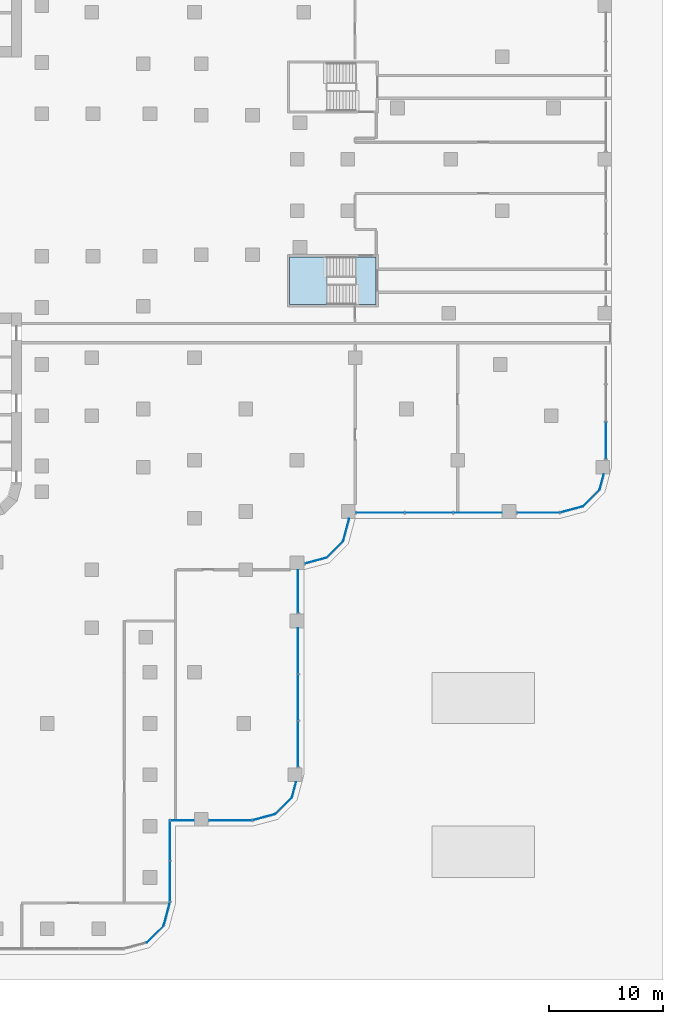
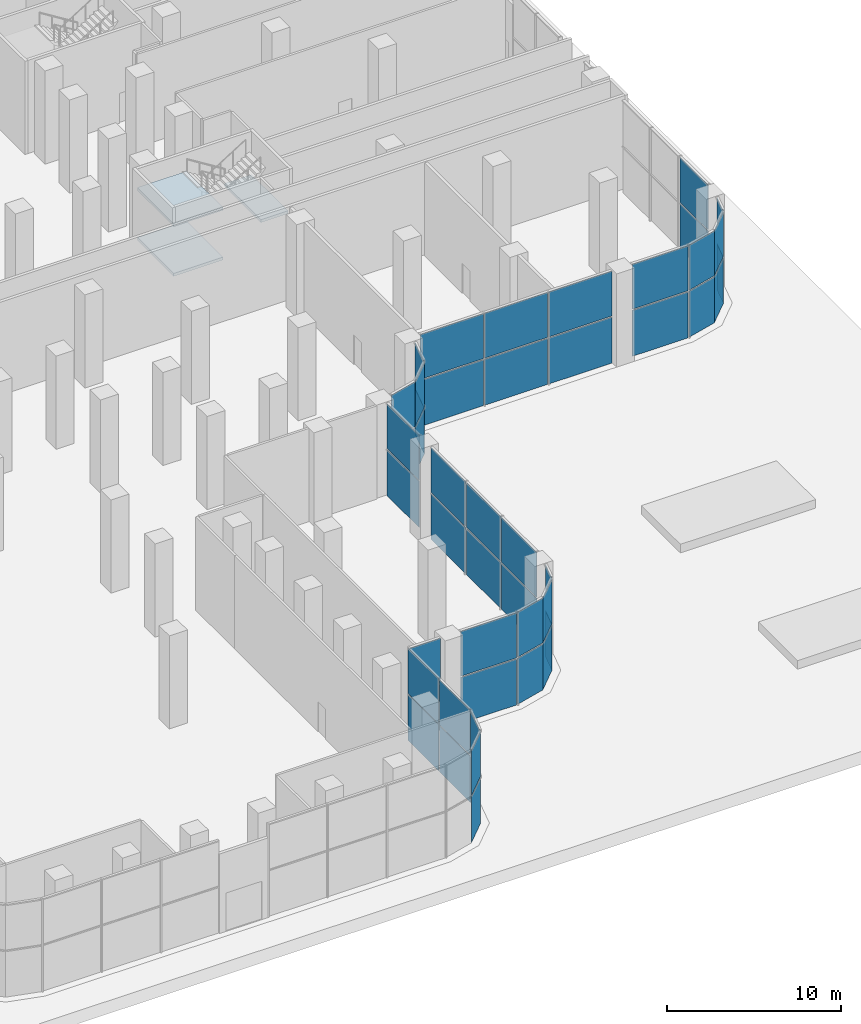
# One storey, part 15 of 34: 48 plates, 3 slabs, 17 elements without a shape of their own.
"""IFC4 building model written with IfcOpenShell, lengths in metres."""

from ifc_helpers import new_model, si_unit, direction, frame, origin, place, context, subcontext, project, spatial, polyline, outline, extrude, source, transform, mapped, material, layer, layer_set, type_object, element, aggregate, save


model = new_model("IFC4")

# Units and contexts
model_context = context("Model", 3, precision=1e-05, world=origin(), true_north=direction((0.0, 1.0)))
body_context = subcontext(model_context, "Body", "Model", "MODEL_VIEW")
ifc_project = project(units=[si_unit("LENGTHUNIT", "METRE"), si_unit("AREAUNIT", "SQUARE_METRE"), si_unit("VOLUMEUNIT", "CUBIC_METRE"), si_unit("PLANEANGLEUNIT", "RADIAN"), si_unit("MASSUNIT", "GRAM", prefix="KILO")], contexts=[model_context])

# Site, building, storey
site_placement = place(None, origin())
site = spatial("IfcSite", under=ifc_project, at=site_placement, CompositionType="ELEMENT")
building_placement = place(site_placement, origin())
building = spatial("IfcBuilding", under=site, at=building_placement, Name="Zarbagh Exchange Tower", CompositionType="ELEMENT")
storey_placement = place(building_placement, origin())
storey = spatial("IfcBuildingStorey", under=building, at=storey_placement, Name="L00", CompositionType="ELEMENT", Elevation=0.0)

# Stair, slabs
ifc_material_1 = material(Name="Concrete C40/50", Category="concrete")
stair_type = type_object("IfcStairType", Name="Exit stair two-flight half-turn", PredefinedType="HALF_TURN_STAIR", material=ifc_material_1)
stair_placement = place(storey_placement, origin())
stair = element("IfcStair", 1, at=stair_placement, inside=storey, type_object=stair_type, Name="exit stair PS6", PredefinedType="HALF_TURN_STAIR")
ifc_layer_1 = layer(ifc_material_1, 0.199951171875)
ifc_layer_set_1 = layer_set([ifc_layer_1], Name="Stair landing 200 mm")
slab_type = type_object("IfcSlabType", Name="Stair landing 200 mm", PredefinedType="LANDING", material=ifc_layer_set_1)
slab_1_placement = place(storey_placement, frame((0.0, 0.0, 1.550048828125)))
slab_1 = element("IfcSlab", 2, at=slab_1_placement, type_object=slab_type, Name="PS6 landing 1", PredefinedType="LANDING", context=body_context, shape_type="SweptSolid", body=[
    extrude(outline(polyline([(31.280029296875, -6.300048828125), (28.0, -6.300048828125), (28.0, -10.5), (31.280029296875, -10.5), (31.280029296875, -6.300048828125)])), origin(), (0.0, 0.0, 1.0), 0.199951171875),
])
slab_2_placement = place(storey_placement, frame((0.0, 0.0, 3.300048828125)))
slab_2 = element("IfcSlab", 3, at=slab_2_placement, type_object=slab_type, Name="PS6 landing 2", PredefinedType="LANDING", context=body_context, shape_type="SweptSolid", body=[
    extrude(outline(polyline([(35.60009765625, -6.300048828125), (33.800048828125, -6.300048828125), (33.800048828125, -10.5), (35.60009765625, -10.5), (35.60009765625, -6.300048828125)])), origin(), (0.0, 0.0, 1.0), 0.199951171875),
])
slab_3_placement = place(storey_placement, frame((0.0, 0.0, 5.050048828125)))
slab_3 = element("IfcSlab", 4, at=slab_3_placement, type_object=slab_type, Name="PS6 landing 3", PredefinedType="LANDING", context=body_context, shape_type="SweptSolid", body=[
    extrude(outline(polyline([(31.280029296875, -6.300048828125), (28.0, -6.300048828125), (28.0, -10.5), (31.280029296875, -10.5), (31.280029296875, -6.300048828125)])), origin(), (0.0, 0.0, 1.0), 0.199951171875),
])
aggregate(stair, [slab_1, slab_2, slab_3])

# Curtain wall, plates
ifc_material_2 = material(Name="Anodised aluminium frame and glazing", Category="aluminium")
curtain_wall_type_1 = type_object("IfcCurtainWallType", Name="CWD Exchange hall wall glazing", PredefinedType="NOTDEFINED", material=ifc_material_2)
curtain_wall_1_placement = place(storey_placement, origin())
curtain_wall_1 = element("IfcCurtainWall", 5, at=curtain_wall_1_placement, inside=storey, type_object=curtain_wall_type_1, Name="CWD02 curtain wall", PredefinedType="NOTDEFINED")
ifc_material_3 = material(Name="Low-e double glazed unit, 6+12+6 mm")
ifc_layer_2 = layer(ifc_material_3, 0.035888671875)
ifc_layer_set_2 = layer_set([ifc_layer_2], Name="PAD Glazing panel, Low-e double glazed unit, 6+12+6 mm")
plate_type_1 = type_object("IfcPlateType", Name="PAD Glazing panel, Low-e double glazed unit, 6+12+6 mm", PredefinedType="CURTAIN_PANEL", material=ifc_layer_set_2)
shared_shape_1 = source(origin(), body_context, "Body", "SweptSolid", [
    extrude(outline(polyline([(0.0, -0.01806640625), (2.061279296875, -0.01806640625), (2.061279296875, 0.01806640625), (0.0, 0.01806640625), (0.0, -0.01806640625)])), origin(), (0.0, 0.0, 1.0), 3.235107421875),
])
placement = place(storey_placement, origin())
plate_1 = element("IfcPlate", 6, at=placement, type_object=plate_type_1, Name="CWD02 glazing panel 1.1", PredefinedType="CURTAIN_PANEL", context=body_context, shape_type="MappedRepresentation", body=[
    mapped(shared_shape_1, transform((15.4912109375, -66.44873046875, 0.0), x_axis=(0.707106781187, 0.707106781187, 0.0), y_axis=(-0.707106781187, 0.707106781187, 0.0), z_axis=(0.0, 0.0, 1.0))),
])
shared_shape_2 = source(origin(), body_context, "Body", "SweptSolid", [
    extrude(outline(polyline([(0.0, -0.01806640625), (2.061279296875, -0.01806640625), (2.061279296875, 0.01806640625), (0.0, 0.01806640625), (0.0, -0.01806640625)])), origin(), (0.0, 0.0, 1.0), 3.155029296875),
])
plate_2 = element("IfcPlate", 7, at=placement, type_object=plate_type_1, Name="CWD02 glazing panel 1.1", PredefinedType="CURTAIN_PANEL", context=body_context, shape_type="MappedRepresentation", body=[
    mapped(shared_shape_2, transform((15.4912109375, -66.44873046875, 3.31494140625), x_axis=(0.707106781187, 0.707106781187, 0.0), y_axis=(-0.707106781187, 0.707106781187, 0.0), z_axis=(0.0, 0.0, 1.0))),
])
aggregate(curtain_wall_1, [plate_1, plate_2])

curtain_wall_2_placement = place(storey_placement, origin())
curtain_wall_2 = element("IfcCurtainWall", 8, at=curtain_wall_2_placement, inside=storey, type_object=curtain_wall_type_1, Name="CWD03 curtain wall", PredefinedType="NOTDEFINED")
shared_shape_3 = source(origin(), body_context, "Body", "SweptSolid", [
    extrude(outline(polyline([(0.0, -0.01806640625), (2.129638671875, -0.01806640625), (2.129638671875, 0.01806640625), (0.0, 0.01806640625), (0.0, -0.01806640625)])), origin(), (0.0, 0.0, 1.0), 3.235107421875),
])
plate_3 = element("IfcPlate", 9, at=placement, type_object=plate_type_1, Name="CWD03 glazing panel 1.1", PredefinedType="CURTAIN_PANEL", context=body_context, shape_type="MappedRepresentation", body=[
    mapped(shared_shape_3, transform((16.94873046875, -64.9912109375, 0.0), x_axis=(0.258824779902, 0.965924289636, 0.0), y_axis=(-0.965924289636, 0.258824779902, 0.0), z_axis=(0.0, 0.0, 1.0))),
])
shared_shape_4 = source(origin(), body_context, "Body", "SweptSolid", [
    extrude(outline(polyline([(0.0, -0.01806640625), (2.129638671875, -0.01806640625), (2.129638671875, 0.01806640625), (0.0, 0.01806640625), (0.0, -0.01806640625)])), origin(), (0.0, 0.0, 1.0), 3.155029296875),
])
plate_4 = element("IfcPlate", 10, at=placement, type_object=plate_type_1, Name="CWD03 glazing panel 1.1", PredefinedType="CURTAIN_PANEL", context=body_context, shape_type="MappedRepresentation", body=[
    mapped(shared_shape_4, transform((16.94873046875, -64.9912109375, 3.31494140625), x_axis=(0.258824779902, 0.965924289636, 0.0), y_axis=(-0.965924289636, 0.258824779902, 0.0), z_axis=(0.0, 0.0, 1.0))),
])
aggregate(curtain_wall_2, [plate_3, plate_4])

curtain_wall_3_placement = place(storey_placement, origin())
curtain_wall_3 = element("IfcCurtainWall", 11, at=curtain_wall_3_placement, inside=storey, type_object=curtain_wall_type_1, Name="CWD04 curtain wall", PredefinedType="NOTDEFINED")
shared_shape_5 = source(origin(), body_context, "Body", "SweptSolid", [
    extrude(outline(polyline([(0.0, -0.01806640625), (3.51220703125, -0.01806640625), (3.51220703125, 0.01806640625), (0.0, 0.01806640625), (0.0, -0.01806640625)])), origin(), (0.0, 0.0, 1.0), 3.235107421875),
])
plate_5 = element("IfcPlate", 12, at=placement, type_object=plate_type_1, Name="CWD04 glazing panel 1.1", PredefinedType="CURTAIN_PANEL", context=body_context, shape_type="MappedRepresentation", body=[
    mapped(shared_shape_5, transform((17.5, -62.854248046875, 0.0), x_axis=(0.0, 1.0, 0.0), y_axis=(-1.0, 0.0, 0.0), z_axis=(0.0, 0.0, 1.0))),
])
plate_6 = element("IfcPlate", 13, at=placement, type_object=plate_type_1, Name="CWD04 glazing panel 1.2", PredefinedType="CURTAIN_PANEL", context=body_context, shape_type="MappedRepresentation", body=[
    mapped(shared_shape_5, transform((17.5, -59.261962890625, 0.0), x_axis=(0.0, 1.0, 0.0), y_axis=(-1.0, 0.0, 0.0), z_axis=(0.0, 0.0, 1.0))),
])
shared_shape_6 = source(origin(), body_context, "Body", "SweptSolid", [
    extrude(outline(polyline([(0.0, -0.01806640625), (3.51220703125, -0.01806640625), (3.51220703125, 0.01806640625), (0.0, 0.01806640625), (0.0, -0.01806640625)])), origin(), (0.0, 0.0, 1.0), 3.155029296875),
])
plate_7 = element("IfcPlate", 14, at=placement, type_object=plate_type_1, Name="CWD04 glazing panel 1.1", PredefinedType="CURTAIN_PANEL", context=body_context, shape_type="MappedRepresentation", body=[
    mapped(shared_shape_6, transform((17.5, -62.854248046875, 3.31494140625), x_axis=(0.0, 1.0, 0.0), y_axis=(-1.0, 0.0, 0.0), z_axis=(0.0, 0.0, 1.0))),
])
plate_8 = element("IfcPlate", 15, at=placement, type_object=plate_type_1, Name="CWD04 glazing panel 1.2", PredefinedType="CURTAIN_PANEL", context=body_context, shape_type="MappedRepresentation", body=[
    mapped(shared_shape_6, transform((17.5, -59.261962890625, 3.31494140625), x_axis=(0.0, 1.0, 0.0), y_axis=(-1.0, 0.0, 0.0), z_axis=(0.0, 0.0, 1.0))),
])
aggregate(curtain_wall_3, [plate_5, plate_7, plate_6, plate_8])

curtain_wall_type_2 = type_object("IfcCurtainWallType", Name="CWC Podium garden-wall glazing", PredefinedType="NOTDEFINED", material=ifc_material_2)
curtain_wall_4_placement = place(storey_placement, origin())
curtain_wall_4 = element("IfcCurtainWall", 16, at=curtain_wall_4_placement, inside=storey, type_object=curtain_wall_type_2, Name="CWC01 curtain wall", PredefinedType="NOTDEFINED")
ifc_layer_3 = layer(ifc_material_3, 0.031982421875)
ifc_layer_set_3 = layer_set([ifc_layer_3], Name="PAC Glazing panel, Low-e double glazed unit, 6+12+6 mm")
plate_type_2 = type_object("IfcPlateType", Name="PAC Glazing panel, Low-e double glazed unit, 6+12+6 mm", PredefinedType="CURTAIN_PANEL", material=ifc_layer_set_3)
shared_shape_7 = source(origin(), body_context, "Body", "SweptSolid", [
    extrude(outline(polyline([(0.0, -0.01611328125), (2.030029296875, -0.01611328125), (2.030029296875, 0.01611328125), (0.0, 0.01611328125), (0.0, -0.01611328125)])), origin(), (0.0, 0.0, 1.0), 3.235107421875),
])
plate_9 = element("IfcPlate", 17, at=placement, type_object=plate_type_2, Name="CWC01 glazing panel 1.1", PredefinedType="CURTAIN_PANEL", context=body_context, shape_type="MappedRepresentation", body=[
    mapped(shared_shape_7, transform((17.580078125, -55.75, 0.0), x_axis=(1.0, 0.0, 0.0), y_axis=(0.0, 1.0, 0.0), z_axis=(0.0, 0.0, 1.0))),
])
shared_shape_8 = source(origin(), body_context, "Body", "SweptSolid", [
    extrude(outline(polyline([(0.0, -0.01611328125), (2.030029296875, -0.01611328125), (2.030029296875, 0.01611328125), (0.0, 0.01611328125), (0.0, -0.01611328125)])), origin(), (0.0, 0.0, 1.0), 3.155029296875),
])
plate_10 = element("IfcPlate", 18, at=placement, type_object=plate_type_2, Name="CWC01 glazing panel 1.1", PredefinedType="CURTAIN_PANEL", context=body_context, shape_type="MappedRepresentation", body=[
    mapped(shared_shape_8, transform((17.580078125, -55.75, 3.31494140625), x_axis=(1.0, 0.0, 0.0), y_axis=(0.0, 1.0, 0.0), z_axis=(0.0, 0.0, 1.0))),
])
shared_shape_9 = source(origin(), body_context, "Body", "SweptSolid", [
    extrude(outline(polyline([(0.0, -0.01611328125), (3.714111328125, -0.01611328125), (3.714111328125, 0.01611328125), (0.0, 0.01611328125), (0.0, -0.01611328125)])), origin(), (0.0, 0.0, 1.0), 3.235107421875),
])
plate_11 = element("IfcPlate", 19, at=placement, type_object=plate_type_2, Name="CWC01 glazing panel 2.1", PredefinedType="CURTAIN_PANEL", context=body_context, shape_type="MappedRepresentation", body=[
    mapped(shared_shape_9, transform((20.969970703125, -55.75, 0.0), x_axis=(1.0, 0.0, 0.0), y_axis=(0.0, 1.0, 0.0), z_axis=(0.0, 0.0, 1.0))),
])

# Curtain wall, plate
curtain_wall_5_placement = place(storey_placement, origin())
curtain_wall_5 = element("IfcCurtainWall", 20, at=curtain_wall_5_placement, inside=storey, type_object=curtain_wall_type_2, Name="CWC09 curtain wall", PredefinedType="NOTDEFINED")
plate_12 = element("IfcPlate", 21, at=placement, type_object=plate_type_2, Name="CWC09 glazing panel 2.1", PredefinedType="CURTAIN_PANEL", context=body_context, shape_type="MappedRepresentation", body=[
    mapped(shared_shape_9, transform((47.969970703125, -28.75, 0.0), x_axis=(1.0, 0.0, 0.0), y_axis=(0.0, 1.0, 0.0), z_axis=(0.0, 0.0, 1.0))),
])

# Plate
shared_shape_10 = source(origin(), body_context, "Body", "SweptSolid", [
    extrude(outline(polyline([(0.0, -0.01611328125), (3.714111328125, -0.01611328125), (3.714111328125, 0.01611328125), (0.0, 0.01611328125), (0.0, -0.01611328125)])), origin(), (0.0, 0.0, 1.0), 3.155029296875),
])
plate_13 = element("IfcPlate", 22, at=placement, type_object=plate_type_2, Name="CWC01 glazing panel 2.1", PredefinedType="CURTAIN_PANEL", context=body_context, shape_type="MappedRepresentation", body=[
    mapped(shared_shape_10, transform((20.969970703125, -55.75, 3.31494140625), x_axis=(1.0, 0.0, 0.0), y_axis=(0.0, 1.0, 0.0), z_axis=(0.0, 0.0, 1.0))),
])

aggregate(curtain_wall_4, [plate_9, plate_10, plate_11, plate_13])

plate_14 = element("IfcPlate", 23, at=placement, type_object=plate_type_2, Name="CWC09 glazing panel 2.1", PredefinedType="CURTAIN_PANEL", context=body_context, shape_type="MappedRepresentation", body=[
    mapped(shared_shape_10, transform((47.969970703125, -28.75, 3.31494140625), x_axis=(1.0, 0.0, 0.0), y_axis=(0.0, 1.0, 0.0), z_axis=(0.0, 0.0, 1.0))),
])

# Curtain wall, plate
curtain_wall_6_placement = place(storey_placement, origin())
curtain_wall_6 = element("IfcCurtainWall", 24, at=curtain_wall_6_placement, inside=storey, type_object=curtain_wall_type_2, Name="CWC02 curtain wall", PredefinedType="NOTDEFINED")
shared_shape_11 = source(origin(), body_context, "Body", "SweptSolid", [
    extrude(outline(polyline([(0.0, -0.01611328125), (2.049560546875, -0.01611328125), (2.049560546875, 0.01611328125), (0.0, 0.01611328125), (0.0, -0.01611328125)])), origin(), (0.0, 0.0, 1.0), 3.235107421875),
])
plate_15 = element("IfcPlate", 25, at=placement, type_object=plate_type_2, Name="CWC02 glazing panel 1.1", PredefinedType="CURTAIN_PANEL", context=body_context, shape_type="MappedRepresentation", body=[
    mapped(shared_shape_11, transform((24.761474609375, -55.729248046875, 0.0), x_axis=(0.965924289636, 0.258824779902, 0.0), y_axis=(-0.258824779902, 0.965924289636, 0.0), z_axis=(0.0, 0.0, 1.0))),
])

curtain_wall_7_placement = place(storey_placement, origin())
curtain_wall_7 = element("IfcCurtainWall", 26, at=curtain_wall_7_placement, inside=storey, type_object=curtain_wall_type_2, Name="CWC10 curtain wall", PredefinedType="NOTDEFINED")
plate_16 = element("IfcPlate", 27, at=placement, type_object=plate_type_2, Name="CWC10 glazing panel 1.1", PredefinedType="CURTAIN_PANEL", context=body_context, shape_type="MappedRepresentation", body=[
    mapped(shared_shape_11, transform((51.761474609375, -28.729248046875, 0.0), x_axis=(0.965924289636, 0.258824779902, 0.0), y_axis=(-0.258824779902, 0.965924289636, 0.0), z_axis=(0.0, 0.0, 1.0))),
])

# Plate
shared_shape_12 = source(origin(), body_context, "Body", "SweptSolid", [
    extrude(outline(polyline([(0.0, -0.01611328125), (2.049560546875, -0.01611328125), (2.049560546875, 0.01611328125), (0.0, 0.01611328125), (0.0, -0.01611328125)])), origin(), (0.0, 0.0, 1.0), 3.155029296875),
])
plate_17 = element("IfcPlate", 28, at=placement, type_object=plate_type_2, Name="CWC02 glazing panel 1.1", PredefinedType="CURTAIN_PANEL", context=body_context, shape_type="MappedRepresentation", body=[
    mapped(shared_shape_12, transform((24.761474609375, -55.729248046875, 3.31494140625), x_axis=(0.965924289636, 0.258824779902, 0.0), y_axis=(-0.258824779902, 0.965924289636, 0.0), z_axis=(0.0, 0.0, 1.0))),
])

aggregate(curtain_wall_6, [plate_15, plate_17])

plate_18 = element("IfcPlate", 29, at=placement, type_object=plate_type_2, Name="CWC10 glazing panel 1.1", PredefinedType="CURTAIN_PANEL", context=body_context, shape_type="MappedRepresentation", body=[
    mapped(shared_shape_12, transform((51.761474609375, -28.729248046875, 3.31494140625), x_axis=(0.965924289636, 0.258824779902, 0.0), y_axis=(-0.258824779902, 0.965924289636, 0.0), z_axis=(0.0, 0.0, 1.0))),
])

aggregate(curtain_wall_7, [plate_16, plate_18])

# Curtain wall, plate
curtain_wall_8_placement = place(storey_placement, origin())
curtain_wall_8 = element("IfcCurtainWall", 30, at=curtain_wall_8_placement, inside=storey, type_object=curtain_wall_type_2, Name="CWC03 curtain wall", PredefinedType="NOTDEFINED")
shared_shape_13 = source(origin(), body_context, "Body", "SweptSolid", [
    extrude(outline(polyline([(0.0, -0.01611328125), (2.061279296875, -0.01611328125), (2.061279296875, 0.01611328125), (0.0, 0.01611328125), (0.0, -0.01611328125)])), origin(), (0.0, 0.0, 1.0), 3.235107421875),
])
plate_19 = element("IfcPlate", 31, at=placement, type_object=plate_type_2, Name="CWC03 glazing panel 1.1", PredefinedType="CURTAIN_PANEL", context=body_context, shape_type="MappedRepresentation", body=[
    mapped(shared_shape_13, transform((26.7412109375, -55.19873046875, 0.0), x_axis=(0.707106781187, 0.707106781187, 0.0), y_axis=(-0.707106781187, 0.707106781187, 0.0), z_axis=(0.0, 0.0, 1.0))),
])

curtain_wall_9_placement = place(storey_placement, origin())
curtain_wall_9 = element("IfcCurtainWall", 32, at=curtain_wall_9_placement, inside=storey, type_object=curtain_wall_type_2, Name="CWC07 curtain wall", PredefinedType="NOTDEFINED")
plate_20 = element("IfcPlate", 33, at=placement, type_object=plate_type_2, Name="CWC07 glazing panel 1.1", PredefinedType="CURTAIN_PANEL", context=body_context, shape_type="MappedRepresentation", body=[
    mapped(shared_shape_13, transform((31.2412109375, -32.69873046875, 0.0), x_axis=(0.707106781187, 0.707106781187, 0.0), y_axis=(-0.707106781187, 0.707106781187, 0.0), z_axis=(0.0, 0.0, 1.0))),
])

curtain_wall_10_placement = place(storey_placement, origin())
curtain_wall_10 = element("IfcCurtainWall", 34, at=curtain_wall_10_placement, inside=storey, type_object=curtain_wall_type_2, Name="CWC11 curtain wall", PredefinedType="NOTDEFINED")
plate_21 = element("IfcPlate", 35, at=placement, type_object=plate_type_2, Name="CWC11 glazing panel 1.1", PredefinedType="CURTAIN_PANEL", context=body_context, shape_type="MappedRepresentation", body=[
    mapped(shared_shape_13, transform((53.7412109375, -28.19873046875, 0.0), x_axis=(0.707106781187, 0.707106781187, 0.0), y_axis=(-0.707106781187, 0.707106781187, 0.0), z_axis=(0.0, 0.0, 1.0))),
])

# Plate
shared_shape_14 = source(origin(), body_context, "Body", "SweptSolid", [
    extrude(outline(polyline([(0.0, -0.01611328125), (2.061279296875, -0.01611328125), (2.061279296875, 0.01611328125), (0.0, 0.01611328125), (0.0, -0.01611328125)])), origin(), (0.0, 0.0, 1.0), 3.155029296875),
])
plate_22 = element("IfcPlate", 36, at=placement, type_object=plate_type_2, Name="CWC03 glazing panel 1.1", PredefinedType="CURTAIN_PANEL", context=body_context, shape_type="MappedRepresentation", body=[
    mapped(shared_shape_14, transform((26.7412109375, -55.19873046875, 3.31494140625), x_axis=(0.707106781187, 0.707106781187, 0.0), y_axis=(-0.707106781187, 0.707106781187, 0.0), z_axis=(0.0, 0.0, 1.0))),
])

aggregate(curtain_wall_8, [plate_19, plate_22])

plate_23 = element("IfcPlate", 37, at=placement, type_object=plate_type_2, Name="CWC07 glazing panel 1.1", PredefinedType="CURTAIN_PANEL", context=body_context, shape_type="MappedRepresentation", body=[
    mapped(shared_shape_14, transform((31.2412109375, -32.69873046875, 3.31494140625), x_axis=(0.707106781187, 0.707106781187, 0.0), y_axis=(-0.707106781187, 0.707106781187, 0.0), z_axis=(0.0, 0.0, 1.0))),
])

aggregate(curtain_wall_9, [plate_20, plate_23])

plate_24 = element("IfcPlate", 38, at=placement, type_object=plate_type_2, Name="CWC11 glazing panel 1.1", PredefinedType="CURTAIN_PANEL", context=body_context, shape_type="MappedRepresentation", body=[
    mapped(shared_shape_14, transform((53.7412109375, -28.19873046875, 3.31494140625), x_axis=(0.707106781187, 0.707106781187, 0.0), y_axis=(-0.707106781187, 0.707106781187, 0.0), z_axis=(0.0, 0.0, 1.0))),
])

aggregate(curtain_wall_10, [plate_21, plate_24])

# Curtain wall, plate
curtain_wall_11_placement = place(storey_placement, origin())
curtain_wall_11 = element("IfcCurtainWall", 39, at=curtain_wall_11_placement, inside=storey, type_object=curtain_wall_type_2, Name="CWC04 curtain wall", PredefinedType="NOTDEFINED")
shared_shape_15 = source(origin(), body_context, "Body", "SweptSolid", [
    extrude(outline(polyline([(0.0, -0.01611328125), (1.398681640625, -0.01611328125), (1.398681640625, 0.01611328125), (0.0, 0.01611328125), (0.0, -0.01611328125)])), origin(), (0.0, 0.0, 1.0), 3.235107421875),
])
plate_25 = element("IfcPlate", 40, at=placement, type_object=plate_type_2, Name="CWC04 glazing panel 1.1", PredefinedType="CURTAIN_PANEL", context=body_context, shape_type="MappedRepresentation", body=[
    mapped(shared_shape_15, transform((28.19873046875, -53.7412109375, 0.0), x_axis=(0.258824779902, 0.965924289636, 0.0), y_axis=(-0.965924289636, 0.258824779902, 0.0), z_axis=(0.0, 0.0, 1.0))),
])

curtain_wall_12_placement = place(storey_placement, origin())
curtain_wall_12 = element("IfcCurtainWall", 41, at=curtain_wall_12_placement, inside=storey, type_object=curtain_wall_type_2, Name="CWC12 curtain wall", PredefinedType="NOTDEFINED")
plate_26 = element("IfcPlate", 42, at=placement, type_object=plate_type_2, Name="CWC12 glazing panel 1.1", PredefinedType="CURTAIN_PANEL", context=body_context, shape_type="MappedRepresentation", body=[
    mapped(shared_shape_15, transform((55.19873046875, -26.7412109375, 0.0), x_axis=(0.258824779902, 0.965924289636, 0.0), y_axis=(-0.965924289636, 0.258824779902, 0.0), z_axis=(0.0, 0.0, 1.0))),
])

# Plate
shared_shape_16 = source(origin(), body_context, "Body", "SweptSolid", [
    extrude(outline(polyline([(0.0, -0.01611328125), (1.398681640625, -0.01611328125), (1.398681640625, 0.01611328125), (0.0, 0.01611328125), (0.0, -0.01611328125)])), origin(), (0.0, 0.0, 1.0), 3.155029296875),
])
plate_27 = element("IfcPlate", 43, at=placement, type_object=plate_type_2, Name="CWC04 glazing panel 1.1", PredefinedType="CURTAIN_PANEL", context=body_context, shape_type="MappedRepresentation", body=[
    mapped(shared_shape_16, transform((28.19873046875, -53.7412109375, 3.31494140625), x_axis=(0.258824779902, 0.965924289636, 0.0), y_axis=(-0.965924289636, 0.258824779902, 0.0), z_axis=(0.0, 0.0, 1.0))),
])

aggregate(curtain_wall_11, [plate_25, plate_27])

plate_28 = element("IfcPlate", 44, at=placement, type_object=plate_type_2, Name="CWC12 glazing panel 1.1", PredefinedType="CURTAIN_PANEL", context=body_context, shape_type="MappedRepresentation", body=[
    mapped(shared_shape_16, transform((55.19873046875, -26.7412109375, 3.31494140625), x_axis=(0.258824779902, 0.965924289636, 0.0), y_axis=(-0.965924289636, 0.258824779902, 0.0), z_axis=(0.0, 0.0, 1.0))),
])

aggregate(curtain_wall_12, [plate_26, plate_28])

# Curtain wall, plates
curtain_wall_13_placement = place(storey_placement, origin())
curtain_wall_13 = element("IfcCurtainWall", 45, at=curtain_wall_13_placement, inside=storey, type_object=curtain_wall_type_2, Name="CWC05 curtain wall", PredefinedType="NOTDEFINED")
shared_shape_17 = source(origin(), body_context, "Body", "SweptSolid", [
    extrude(outline(polyline([(0.0, -0.01611328125), (3.993408203125, -0.01611328125), (3.993408203125, 0.01611328125), (0.0, 0.01611328125), (0.0, -0.01611328125)])), origin(), (0.0, 0.0, 1.0), 3.235107421875),
])
plate_29 = element("IfcPlate", 46, at=placement, type_object=plate_type_2, Name="CWC05 glazing panel 1.1", PredefinedType="CURTAIN_PANEL", context=body_context, shape_type="MappedRepresentation", body=[
    mapped(shared_shape_17, transform((28.75, -51.030029296875, 0.0), x_axis=(0.0, 1.0, 0.0), y_axis=(-1.0, 0.0, 0.0), z_axis=(0.0, 0.0, 1.0))),
])
plate_30 = element("IfcPlate", 47, at=placement, type_object=plate_type_2, Name="CWC05 glazing panel 1.2", PredefinedType="CURTAIN_PANEL", context=body_context, shape_type="MappedRepresentation", body=[
    mapped(shared_shape_17, transform((28.75, -46.95654296875, 0.0), x_axis=(0.0, 1.0, 0.0), y_axis=(-1.0, 0.0, 0.0), z_axis=(0.0, 0.0, 1.0))),
])
plate_31 = element("IfcPlate", 48, at=placement, type_object=plate_type_2, Name="CWC05 glazing panel 1.3", PredefinedType="CURTAIN_PANEL", context=body_context, shape_type="MappedRepresentation", body=[
    mapped(shared_shape_17, transform((28.75, -42.88330078125, 0.0), x_axis=(0.0, 1.0, 0.0), y_axis=(-1.0, 0.0, 0.0), z_axis=(0.0, 0.0, 1.0))),
])
shared_shape_18 = source(origin(), body_context, "Body", "SweptSolid", [
    extrude(outline(polyline([(0.0, -0.01611328125), (3.993408203125, -0.01611328125), (3.993408203125, 0.01611328125), (0.0, 0.01611328125), (0.0, -0.01611328125)])), origin(), (0.0, 0.0, 1.0), 3.155029296875),
])
plate_32 = element("IfcPlate", 49, at=placement, type_object=plate_type_2, Name="CWC05 glazing panel 1.1", PredefinedType="CURTAIN_PANEL", context=body_context, shape_type="MappedRepresentation", body=[
    mapped(shared_shape_18, transform((28.75, -51.030029296875, 3.31494140625), x_axis=(0.0, 1.0, 0.0), y_axis=(-1.0, 0.0, 0.0), z_axis=(0.0, 0.0, 1.0))),
])
plate_33 = element("IfcPlate", 50, at=placement, type_object=plate_type_2, Name="CWC05 glazing panel 1.2", PredefinedType="CURTAIN_PANEL", context=body_context, shape_type="MappedRepresentation", body=[
    mapped(shared_shape_18, transform((28.75, -46.95654296875, 3.31494140625), x_axis=(0.0, 1.0, 0.0), y_axis=(-1.0, 0.0, 0.0), z_axis=(0.0, 0.0, 1.0))),
])
plate_34 = element("IfcPlate", 51, at=placement, type_object=plate_type_2, Name="CWC05 glazing panel 1.3", PredefinedType="CURTAIN_PANEL", context=body_context, shape_type="MappedRepresentation", body=[
    mapped(shared_shape_18, transform((28.75, -42.88330078125, 3.31494140625), x_axis=(0.0, 1.0, 0.0), y_axis=(-1.0, 0.0, 0.0), z_axis=(0.0, 0.0, 1.0))),
])
shared_shape_19 = source(origin(), body_context, "Body", "SweptSolid", [
    extrude(outline(polyline([(0.0, -0.01611328125), (3.739990234375, -0.01611328125), (3.739990234375, 0.01611328125), (0.0, 0.01611328125), (0.0, -0.01611328125)])), origin(), (0.0, 0.0, 1.0), 3.235107421875),
])
plate_35 = element("IfcPlate", 52, at=placement, type_object=plate_type_2, Name="CWC05 glazing panel 2.1", PredefinedType="CURTAIN_PANEL", context=body_context, shape_type="MappedRepresentation", body=[
    mapped(shared_shape_19, transform((28.75, -37.530029296875, 0.0), x_axis=(0.0, 1.0, 0.0), y_axis=(-1.0, 0.0, 0.0), z_axis=(0.0, 0.0, 1.0))),
])
shared_shape_20 = source(origin(), body_context, "Body", "SweptSolid", [
    extrude(outline(polyline([(0.0, -0.01611328125), (3.739990234375, -0.01611328125), (3.739990234375, 0.01611328125), (0.0, 0.01611328125), (0.0, -0.01611328125)])), origin(), (0.0, 0.0, 1.0), 3.155029296875),
])
plate_36 = element("IfcPlate", 53, at=placement, type_object=plate_type_2, Name="CWC05 glazing panel 2.1", PredefinedType="CURTAIN_PANEL", context=body_context, shape_type="MappedRepresentation", body=[
    mapped(shared_shape_20, transform((28.75, -37.530029296875, 3.31494140625), x_axis=(0.0, 1.0, 0.0), y_axis=(-1.0, 0.0, 0.0), z_axis=(0.0, 0.0, 1.0))),
])
aggregate(curtain_wall_13, [plate_29, plate_32, plate_30, plate_33, plate_31, plate_34, plate_35, plate_36])

curtain_wall_14_placement = place(storey_placement, origin())
curtain_wall_14 = element("IfcCurtainWall", 54, at=curtain_wall_14_placement, inside=storey, type_object=curtain_wall_type_2, Name="CWC06 curtain wall", PredefinedType="NOTDEFINED")
shared_shape_21 = source(origin(), body_context, "Body", "SweptSolid", [
    extrude(outline(polyline([(0.0, -0.01611328125), (1.93994140625, -0.01611328125), (1.93994140625, 0.01611328125), (0.0, 0.01611328125), (0.0, -0.01611328125)])), origin(), (0.0, 0.0, 1.0), 3.235107421875),
])
plate_37 = element("IfcPlate", 55, at=placement, type_object=plate_type_2, Name="CWC06 glazing panel 1.1", PredefinedType="CURTAIN_PANEL", context=body_context, shape_type="MappedRepresentation", body=[
    mapped(shared_shape_21, transform((29.367431640625, -33.200927734375, 0.0), x_axis=(0.965924289636, 0.258824779902, 0.0), y_axis=(-0.258824779902, 0.965924289636, 0.0), z_axis=(0.0, 0.0, 1.0))),
])
shared_shape_22 = source(origin(), body_context, "Body", "SweptSolid", [
    extrude(outline(polyline([(0.0, -0.01611328125), (1.93994140625, -0.01611328125), (1.93994140625, 0.01611328125), (0.0, 0.01611328125), (0.0, -0.01611328125)])), origin(), (0.0, 0.0, 1.0), 3.155029296875),
])
plate_38 = element("IfcPlate", 56, at=placement, type_object=plate_type_2, Name="CWC06 glazing panel 1.1", PredefinedType="CURTAIN_PANEL", context=body_context, shape_type="MappedRepresentation", body=[
    mapped(shared_shape_22, transform((29.367431640625, -33.200927734375, 3.31494140625), x_axis=(0.965924289636, 0.258824779902, 0.0), y_axis=(-0.258824779902, 0.965924289636, 0.0), z_axis=(0.0, 0.0, 1.0))),
])
aggregate(curtain_wall_14, [plate_37, plate_38])

curtain_wall_15_placement = place(storey_placement, origin())
curtain_wall_15 = element("IfcCurtainWall", 57, at=curtain_wall_15_placement, inside=storey, type_object=curtain_wall_type_2, Name="CWC08 curtain wall", PredefinedType="NOTDEFINED")
shared_shape_23 = source(origin(), body_context, "Body", "SweptSolid", [
    extrude(outline(polyline([(0.0, -0.01611328125), (2.02001953125, -0.01611328125), (2.02001953125, 0.01611328125), (0.0, 0.01611328125), (0.0, -0.01611328125)])), origin(), (0.0, 0.0, 1.0), 3.235107421875),
])
plate_39 = element("IfcPlate", 58, at=placement, type_object=plate_type_2, Name="CWC08 glazing panel 1.1", PredefinedType="CURTAIN_PANEL", context=body_context, shape_type="MappedRepresentation", body=[
    mapped(shared_shape_23, transform((32.69873046875, -31.2412109375, 0.0), x_axis=(0.258824779902, 0.965924289636, 0.0), y_axis=(-0.965924289636, 0.258824779902, 0.0), z_axis=(0.0, 0.0, 1.0))),
])
shared_shape_24 = source(origin(), body_context, "Body", "SweptSolid", [
    extrude(outline(polyline([(0.0, -0.01611328125), (2.02001953125, -0.01611328125), (2.02001953125, 0.01611328125), (0.0, 0.01611328125), (0.0, -0.01611328125)])), origin(), (0.0, 0.0, 1.0), 3.155029296875),
])
plate_40 = element("IfcPlate", 59, at=placement, type_object=plate_type_2, Name="CWC08 glazing panel 1.1", PredefinedType="CURTAIN_PANEL", context=body_context, shape_type="MappedRepresentation", body=[
    mapped(shared_shape_24, transform((32.69873046875, -31.2412109375, 3.31494140625), x_axis=(0.258824779902, 0.965924289636, 0.0), y_axis=(-0.965924289636, 0.258824779902, 0.0), z_axis=(0.0, 0.0, 1.0))),
])
aggregate(curtain_wall_15, [plate_39, plate_40])

# Plate
shared_shape_25 = source(origin(), body_context, "Body", "SweptSolid", [
    extrude(outline(polyline([(0.0, -0.01611328125), (4.193359375, -0.01611328125), (4.193359375, 0.01611328125), (0.0, 0.01611328125), (0.0, -0.01611328125)])), origin(), (0.0, 0.0, 1.0), 3.235107421875),
])
plate_41 = element("IfcPlate", 60, at=placement, type_object=plate_type_2, Name="CWC09 glazing panel 1.1", PredefinedType="CURTAIN_PANEL", context=body_context, shape_type="MappedRepresentation", body=[
    mapped(shared_shape_25, transform((33.8701171875, -28.75, 0.0), x_axis=(1.0, 0.0, 0.0), y_axis=(0.0, 1.0, 0.0), z_axis=(0.0, 0.0, 1.0))),
])

plate_42 = element("IfcPlate", 61, at=placement, type_object=plate_type_2, Name="CWC09 glazing panel 1.2", PredefinedType="CURTAIN_PANEL", context=body_context, shape_type="MappedRepresentation", body=[
    mapped(shared_shape_25, transform((38.143310546875, -28.75, 0.0), x_axis=(1.0, 0.0, 0.0), y_axis=(0.0, 1.0, 0.0), z_axis=(0.0, 0.0, 1.0))),
])

plate_43 = element("IfcPlate", 62, at=placement, type_object=plate_type_2, Name="CWC09 glazing panel 1.3", PredefinedType="CURTAIN_PANEL", context=body_context, shape_type="MappedRepresentation", body=[
    mapped(shared_shape_25, transform((42.416748046875, -28.75, 0.0), x_axis=(1.0, 0.0, 0.0), y_axis=(0.0, 1.0, 0.0), z_axis=(0.0, 0.0, 1.0))),
])

shared_shape_26 = source(origin(), body_context, "Body", "SweptSolid", [
    extrude(outline(polyline([(0.0, -0.01611328125), (4.193359375, -0.01611328125), (4.193359375, 0.01611328125), (0.0, 0.01611328125), (0.0, -0.01611328125)])), origin(), (0.0, 0.0, 1.0), 3.155029296875),
])
plate_44 = element("IfcPlate", 63, at=placement, type_object=plate_type_2, Name="CWC09 glazing panel 1.1", PredefinedType="CURTAIN_PANEL", context=body_context, shape_type="MappedRepresentation", body=[
    mapped(shared_shape_26, transform((33.8701171875, -28.75, 3.31494140625), x_axis=(1.0, 0.0, 0.0), y_axis=(0.0, 1.0, 0.0), z_axis=(0.0, 0.0, 1.0))),
])

plate_45 = element("IfcPlate", 64, at=placement, type_object=plate_type_2, Name="CWC09 glazing panel 1.2", PredefinedType="CURTAIN_PANEL", context=body_context, shape_type="MappedRepresentation", body=[
    mapped(shared_shape_26, transform((38.143310546875, -28.75, 3.31494140625), x_axis=(1.0, 0.0, 0.0), y_axis=(0.0, 1.0, 0.0), z_axis=(0.0, 0.0, 1.0))),
])

plate_46 = element("IfcPlate", 65, at=placement, type_object=plate_type_2, Name="CWC09 glazing panel 1.3", PredefinedType="CURTAIN_PANEL", context=body_context, shape_type="MappedRepresentation", body=[
    mapped(shared_shape_26, transform((42.416748046875, -28.75, 3.31494140625), x_axis=(1.0, 0.0, 0.0), y_axis=(0.0, 1.0, 0.0), z_axis=(0.0, 0.0, 1.0))),
])

aggregate(curtain_wall_5, [plate_41, plate_44, plate_42, plate_45, plate_43, plate_46, plate_12, plate_14])

# Curtain wall, plates
curtain_wall_16_placement = place(storey_placement, origin())
curtain_wall_16 = element("IfcCurtainWall", 66, at=curtain_wall_16_placement, inside=storey, type_object=curtain_wall_type_2, Name="CWC13 curtain wall", PredefinedType="NOTDEFINED")
shared_shape_27 = source(origin(), body_context, "Body", "SweptSolid", [
    extrude(outline(polyline([(0.0, -0.01611328125), (3.2099609375, -0.01611328125), (3.2099609375, 0.01611328125), (0.0, 0.01611328125), (0.0, -0.01611328125)])), origin(), (0.0, 0.0, 1.0), 3.235107421875),
])
plate_47 = element("IfcPlate", 67, at=placement, type_object=plate_type_2, Name="CWC13 glazing panel 1.1", PredefinedType="CURTAIN_PANEL", context=body_context, shape_type="MappedRepresentation", body=[
    mapped(shared_shape_27, transform((55.75, -24.030029296875, 0.0), x_axis=(0.0, 1.0, 0.0), y_axis=(-1.0, 0.0, 0.0), z_axis=(0.0, 0.0, 1.0))),
])
shared_shape_28 = source(origin(), body_context, "Body", "SweptSolid", [
    extrude(outline(polyline([(0.0, -0.01611328125), (3.2099609375, -0.01611328125), (3.2099609375, 0.01611328125), (0.0, 0.01611328125), (0.0, -0.01611328125)])), origin(), (0.0, 0.0, 1.0), 3.155029296875),
])
plate_48 = element("IfcPlate", 68, at=placement, type_object=plate_type_2, Name="CWC13 glazing panel 1.1", PredefinedType="CURTAIN_PANEL", context=body_context, shape_type="MappedRepresentation", body=[
    mapped(shared_shape_28, transform((55.75, -24.030029296875, 3.31494140625), x_axis=(0.0, 1.0, 0.0), y_axis=(-1.0, 0.0, 0.0), z_axis=(0.0, 0.0, 1.0))),
])
aggregate(curtain_wall_16, [plate_47, plate_48])

save(model, "model.ifc")
